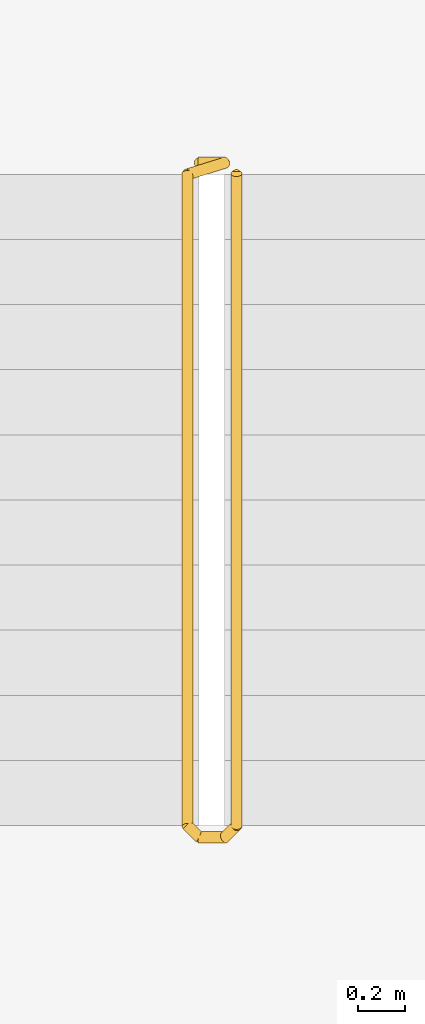
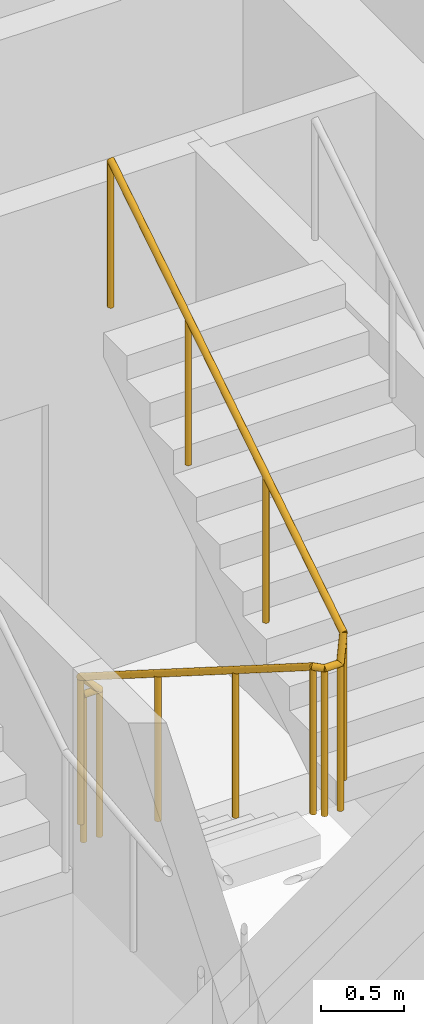
# One storey, part 12 of 12: 1 railing.
"""IFC4 building model written with IfcOpenShell, lengths in metres."""

import ifcopenshell
import ifcopenshell.guid

model = None  # the IFC model being written
_history = None  # IfcOwnerHistory: only IFC2X3 demands one
_inside = {}  # id of a spatial element -> (the spatial element, [elements in it])
_under = {}  # id of a project, library or spatial element -> (it, [spatial elements below it])
_declared = {}  # id of a project -> (the project, [libraries it declares])
_typed = {}  # id of a type object -> (the type object, [elements of that type])
_made_of = {}  # id of a material, layer set ... -> (it, [elements and type objects made of it])


def new_model(schema):
    """Start an empty IFC model of exactly this schema.

    Asked for "IFC4X3", IfcOpenShell would pick the latest addendum, in which some entities
    have other attributes; the version numbers below select the first issue.
    IFC2X3 requires an IfcOwnerHistory on every rooted entity: one is made here for all.
    """
    global model, _history
    if schema == "IFC4X3":
        model = ifcopenshell.file(schema_version=(4, 3, 0, 0))
    else:
        model = ifcopenshell.file(schema=schema)
    _inside.clear()
    _under.clear()
    _declared.clear()
    _typed.clear()
    _made_of.clear()
    _history = None
    if model.schema == "IFC2X3":
        org = make("IfcOrganization", Name="unknown")
        user = make(
            "IfcPersonAndOrganization",
            ThePerson=make("IfcPerson", FamilyName="unknown"),
            TheOrganization=org,
        )
        app = make(
            "IfcApplication",
            ApplicationDeveloper=org,
            Version="unknown",
            ApplicationFullName="unknown",
            ApplicationIdentifier="unknown",
        )
        _history = make(
            "IfcOwnerHistory",
            OwningUser=user,
            OwningApplication=app,
            ChangeAction="ADDED",
            CreationDate=0,
        )
    return model


def make(cls, **values):
    """One entity of the class cls with the attributes given. An attribute that is None is left unset."""
    return model.create_entity(
        cls, **{name: value for name, value in values.items() if value is not None}
    )


def rooted(cls, **values):
    """An entity with a GlobalId (a new one), such as an element, a storey or a relation."""
    return make(cls, GlobalId=ifcopenshell.guid.new(), OwnerHistory=_history, **values)


def si_unit(unit_type, name, prefix=None):
    """IfcSIUnit, for example si_unit("LENGTHUNIT", "METRE", prefix="MILLI")."""
    return make("IfcSIUnit", UnitType=unit_type, Prefix=prefix, Name=name)


def assignment(units):
    """IfcUnitAssignment: the units of a project."""
    return None if units is None else make("IfcUnitAssignment", Units=units)


def point(xyz):
    """IfcCartesianPoint."""
    return None if xyz is None else make("IfcCartesianPoint", Coordinates=xyz)


def direction(xyz):
    """IfcDirection."""
    return None if xyz is None else make("IfcDirection", DirectionRatios=xyz)


def frame(location, z_axis=None, x_axis=None):
    """IfcAxis2Placement3D, a coordinate frame: its origin and axes. An axis left out is left unset."""
    return make(
        "IfcAxis2Placement3D",
        Location=point(location),
        Axis=direction(z_axis),
        RefDirection=direction(x_axis),
    )


def frame_2d(location, x_axis=None):
    """IfcAxis2Placement2D, a coordinate frame in the plane: its origin and x axis."""
    return make(
        "IfcAxis2Placement2D", Location=point(location), RefDirection=direction(x_axis)
    )


def origin():
    """The frame at (0, 0, 0) with its axes left unset."""
    return frame((0.0, 0.0, 0.0))


def origin_2d():
    """The frame at (0, 0) in the plane with its x axis left unset."""
    return frame_2d((0.0, 0.0))


def place(relative_to, where):
    """IfcLocalPlacement: puts the frame where relative to a parent placement (None: the world)."""
    return make(
        "IfcLocalPlacement", PlacementRelTo=relative_to, RelativePlacement=where
    )


def context(
    kind, dimensions, precision=None, world=None, true_north=None, identifier=None
):
    """IfcGeometricRepresentationContext, for example the 3D "Model" context."""
    return make(
        "IfcGeometricRepresentationContext",
        ContextIdentifier=identifier,
        ContextType=kind,
        CoordinateSpaceDimension=dimensions,
        Precision=precision,
        WorldCoordinateSystem=world,
        TrueNorth=true_north,
    )


def subcontext(parent, identifier, kind, view, scale=None):
    """IfcGeometricRepresentationSubContext, for example "Body" below "Model"."""
    return make(
        "IfcGeometricRepresentationSubContext",
        ContextIdentifier=identifier,
        ContextType=kind,
        ParentContext=parent,
        TargetScale=scale,
        TargetView=view,
    )


def project(units=None, contexts=None):
    """IfcProject with its units and contexts."""
    return rooted(
        "IfcProject",
        Name="project",
        RepresentationContexts=contexts,
        UnitsInContext=assignment(units),
    )


def spatial(cls, under=None, at=None, **own):
    """A site, building, storey or space (cls), placed at a placement, below another one or the project."""
    s = rooted(cls, ObjectPlacement=at, **own)
    if under is not None:
        _under.setdefault(under.id(), (under, []))[1].append(s)
    return s


def profile(cls, at=None, kind="AREA", **sizes):
    """A parametric profile (cls). Its sizes go by their IFC names, for example OverallWidth=200.0."""
    return make(cls, ProfileType=kind, Position=at, **sizes)


def circle(**sizes):
    """IfcCircleProfileDef."""
    return profile("IfcCircleProfileDef", **sizes)


def extrude(swept, where, along, depth):
    """IfcExtrudedAreaSolid: the profile swept, set in the frame where, extruded along a direction by depth."""
    return make(
        "IfcExtrudedAreaSolid",
        SweptArea=swept,
        Position=where,
        ExtrudedDirection=direction(along),
        Depth=depth,
    )


def shape(context_of_items, identifier, shape_type, items):
    """IfcShapeRepresentation: the items that make up one representation, for example the "Body"."""
    return make(
        "IfcShapeRepresentation",
        ContextOfItems=context_of_items,
        RepresentationIdentifier=identifier,
        RepresentationType=shape_type,
        Items=items,
    )


def material(Name=None, Category=None):
    """IfcMaterial."""
    return make("IfcMaterial", Name=Name, Category=Category)


def made_of(thing, what):
    """Note that an element or type object is made of a material, layer set ...; save() writes the relation."""
    if what is not None:
        _made_of.setdefault(what.id(), (what, []))[1].append(thing)
    return thing


def type_object(cls, material=None, **own):
    """A type object (cls), such as IfcWallType, which elements share."""
    return made_of(rooted(cls, **own), material)


def element(
    cls,
    number,
    at=None,
    inside=None,
    cuts=None,
    type_object=None,
    material=None,
    context=None,
    identifier="Body",
    shape_type=None,
    held_by="IfcProductDefinitionShape",
    body=None,
    shapes=None,
    **own,
):
    """One element of the class cls, such as IfcWall. Its Tag is "e" and its number.

    at: its placement. inside: the storey or other place that contains it. cuts: it is an
    opening in that element (IfcRelVoidsElement). A single representation is given by context,
    identifier, shape_type and body (its items); several are given by shapes. held_by: the class
    of the entity that holds the representations. save() writes the other relations.
    """
    e = rooted(cls, Tag="e%d" % number, ObjectPlacement=at, **own)
    if body is not None:
        shapes = [shape(context, identifier, shape_type, body)]
    if shapes is not None:
        e.Representation = make(held_by, Representations=shapes)
    if inside is not None:
        _inside.setdefault(inside.id(), (inside, []))[1].append(e)
    if cuts is not None:
        rooted(
            "IfcRelVoidsElement", RelatingBuildingElement=cuts, RelatedOpeningElement=e
        )
    if type_object is not None:
        _typed.setdefault(type_object.id(), (type_object, []))[1].append(e)
    return made_of(e, material)


def aggregate(whole, parts):
    """IfcRelAggregates: a whole, such as a stair, and the parts it consists of."""
    return rooted("IfcRelAggregates", RelatingObject=whole, RelatedObjects=parts)


def save(model, path):
    """Write the relations noted so far, then the file.

    IfcRelAggregates (storeys below a building ...), IfcRelContainedInSpatialStructure (elements
    in a storey), IfcRelDefinesByType, IfcRelAssociatesMaterial and IfcRelDeclares: one each for
    every whole, place, type object, material and project.
    """
    for whole, parts in _under.values():
        aggregate(whole, parts)
    for where, things in _inside.values():
        rooted(
            "IfcRelContainedInSpatialStructure",
            RelatedElements=things,
            RelatingStructure=where,
        )
    for kind, things in _typed.values():
        rooted("IfcRelDefinesByType", RelatedObjects=things, RelatingType=kind)
    for what, things in _made_of.values():
        rooted("IfcRelAssociatesMaterial", RelatedObjects=things, RelatingMaterial=what)
    for by, libraries in _declared.values():
        rooted("IfcRelDeclares", RelatingContext=by, RelatedDefinitions=libraries)
    model.write(path)


model = new_model("IFC4")

# Units and contexts
model_context = context("Model", 3, precision=1e-05, world=origin(), true_north=direction((0.0, 1.0)))
body_context = subcontext(model_context, "Body", "Model", "MODEL_VIEW")
ifc_project = project(units=[si_unit("LENGTHUNIT", "METRE"), si_unit("AREAUNIT", "SQUARE_METRE"), si_unit("VOLUMEUNIT", "CUBIC_METRE"), si_unit("PLANEANGLEUNIT", "RADIAN"), si_unit("MASSUNIT", "GRAM", prefix="KILO")], contexts=[model_context])

# Site, building, storey
site_placement = place(None, origin())
site = spatial("IfcSite", under=ifc_project, at=site_placement, CompositionType="ELEMENT")
building_placement = place(site_placement, origin())
building = spatial("IfcBuilding", under=site, at=building_placement, Name="Tessera Arch", CompositionType="ELEMENT")
storey_placement = place(building_placement, frame((0.0, 0.0, 207.199951171875)))
storey = spatial("IfcBuildingStorey", under=building, at=storey_placement, Name="L49", CompositionType="ELEMENT", Elevation=207.199951171875)

# Railing
ifc_material = material(Name="Painted steel balustrade", Category="steel")
railing_type = type_object("IfcRailingType", Name="Stair guard 1100", PredefinedType="GUARDRAIL", material=ifc_material)
railing_placement = place(storey_placement, frame((44.919921875, 43.6298828125, 0.0)))
element("IfcRailing", 1, at=railing_placement, inside=storey, type_object=railing_type, Name="L49 S1c stair guard 1", PredefinedType="GUARDRAIL", context=body_context, shape_type="SweptSolid", body=[
    extrude(circle(Radius=0.02392578125, at=origin_2d()), frame((-0.00390625, 0.0, 1.076171875), z_axis=(1.0, 0.0, 0.0), x_axis=(0.0, 1.0, 0.0)), (0.0, 0.0, 1.0), 0.1181640625),
    extrude(circle(Radius=0.02392578125, at=origin_2d()), frame((0.11279296875, 0.000732421875, 1.0732421875), z_axis=(-0.65574896516, -0.204233265485, 0.726830150696), x_axis=(0.297361876254, -0.954764847777, 0.0)), (0.0, 0.0, 1.0), 0.251953125),
    extrude(circle(Radius=0.02392578125, at=origin_2d()), frame((-0.0498046875, -0.04638671875, 1.251220703125), z_axis=(0.0, -0.844908973607, 0.534910110503), x_axis=(1.0, 0.0, 0.0)), (0.0, 0.0, 1.0), 3.322021484375),
    extrude(circle(Radius=0.02392578125, at=origin_2d()), frame((-0.052734375, -2.846923828125, 3.02587890625), z_axis=(0.705375805398, -0.708833529934, 0.0), x_axis=(0.708833529934, 0.705375805398, 0.0)), (0.0, 0.0, 1.0), 0.07861328125),
    extrude(circle(Radius=0.02392578125, at=origin_2d()), frame((-0.00390625, -2.89990234375, 3.02587890625), z_axis=(1.0, 0.0, 0.0), x_axis=(0.0, 1.0, 0.0)), (0.0, 0.0, 1.0), 0.1181640625),
    extrude(circle(Radius=0.02392578125, at=origin_2d()), frame((0.109130859375, -2.90087890625, 3.022216796875), z_axis=(0.261922500866, 0.261922500866, 0.928866625022), x_axis=(-0.707106781187, 0.707106781187, 0.0)), (0.0, 0.0, 1.0), 0.198974609375),
    extrude(circle(Radius=0.02392578125, at=origin_2d()), frame((0.16015625, -2.853271484375, 3.201416015625), z_axis=(0.0, 0.844908973607, 0.534910110503), x_axis=(-1.0, 0.0, 0.0)), (0.0, 0.0, 1.0), 3.322021484375),
    extrude(circle(Radius=0.02099609375, at=origin_2d()), origin(), (0.0, 0.0, 1.0), 1.06396484375),
    extrude(circle(Radius=0.02099609375, at=origin_2d()), frame((0.110107421875, 0.0, 0.0)), (0.0, 0.0, 1.0), 1.06396484375),
    extrude(circle(Radius=0.02099609375, at=origin_2d()), frame((-0.0498046875, -0.0498046875, 0.17724609375)), (0.0, 0.0, 1.0), 1.06396484375),
    extrude(circle(Radius=0.02099609375, at=origin_2d()), frame((-0.0498046875, -0.983154296875, 0.76806640625)), (0.0, 0.0, 1.0), 1.06396484375),
    extrude(circle(Radius=0.02099609375, at=origin_2d()), frame((-0.0498046875, -1.91650390625, 1.359130859375)), (0.0, 0.0, 1.0), 1.06396484375),
    extrude(circle(Radius=0.02099609375, at=origin_2d()), frame((-0.0498046875, -2.849853515625, 1.949951171875)), (0.0, 0.0, 1.0), 1.06396484375),
    extrude(circle(Radius=0.02099609375, at=origin_2d()), frame((0.0, -2.89990234375, 1.949951171875)), (0.0, 0.0, 1.0), 1.06396484375),
    extrude(circle(Radius=0.02099609375, at=origin_2d()), frame((0.110107421875, -2.89990234375, 1.949951171875)), (0.0, 0.0, 1.0), 1.06396484375),
    extrude(circle(Radius=0.02099609375, at=origin_2d()), frame((0.16015625, -2.849853515625, 2.12744140625)), (0.0, 0.0, 1.0), 1.06396484375),
    extrude(circle(Radius=0.02099609375, at=origin_2d()), frame((0.16015625, -1.91650390625, 2.71826171875)), (0.0, 0.0, 1.0), 1.06396484375),
    extrude(circle(Radius=0.02099609375, at=origin_2d()), frame((0.16015625, -0.983154296875, 3.309326171875)), (0.0, 0.0, 1.0), 1.06396484375),
    extrude(circle(Radius=0.02099609375, at=origin_2d()), frame((0.16015625, -0.0498046875, 3.900146484375)), (0.0, 0.0, 1.0), 1.06396484375),
])

save(model, "model.ifc")
